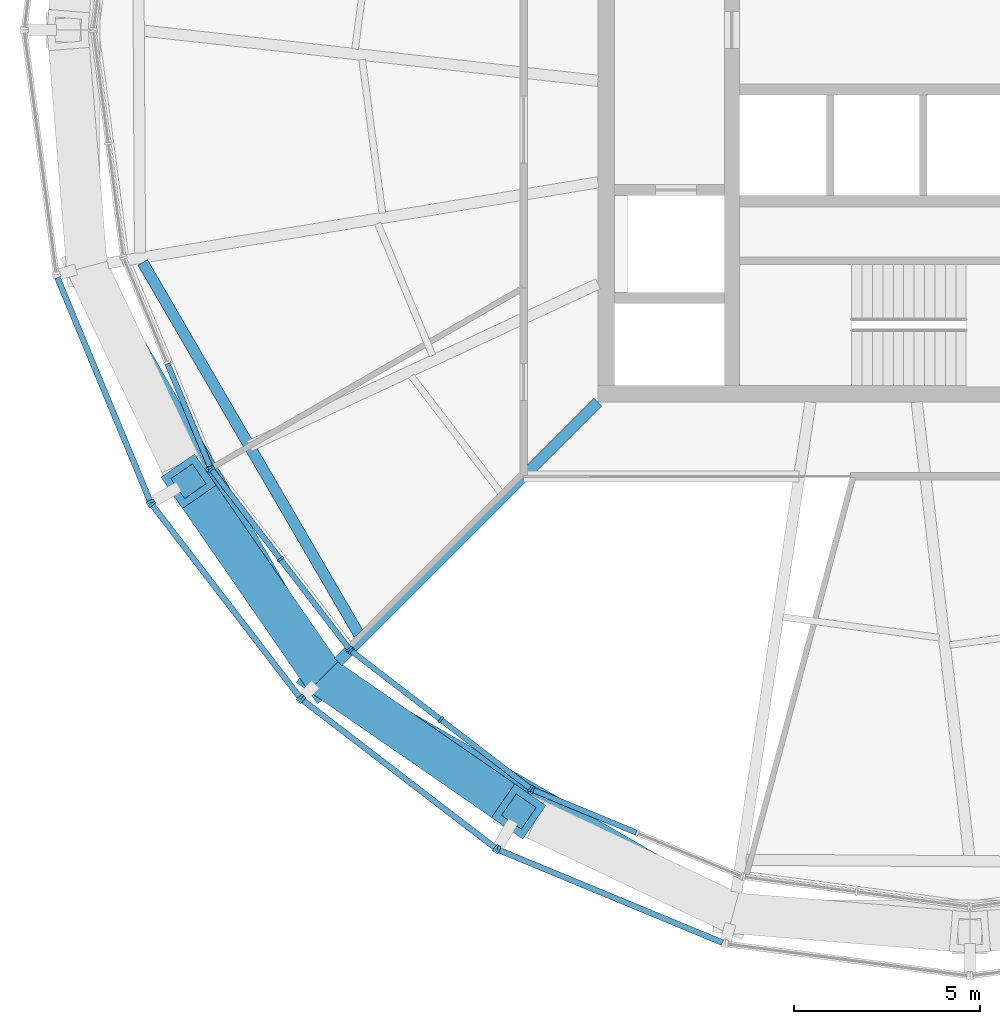
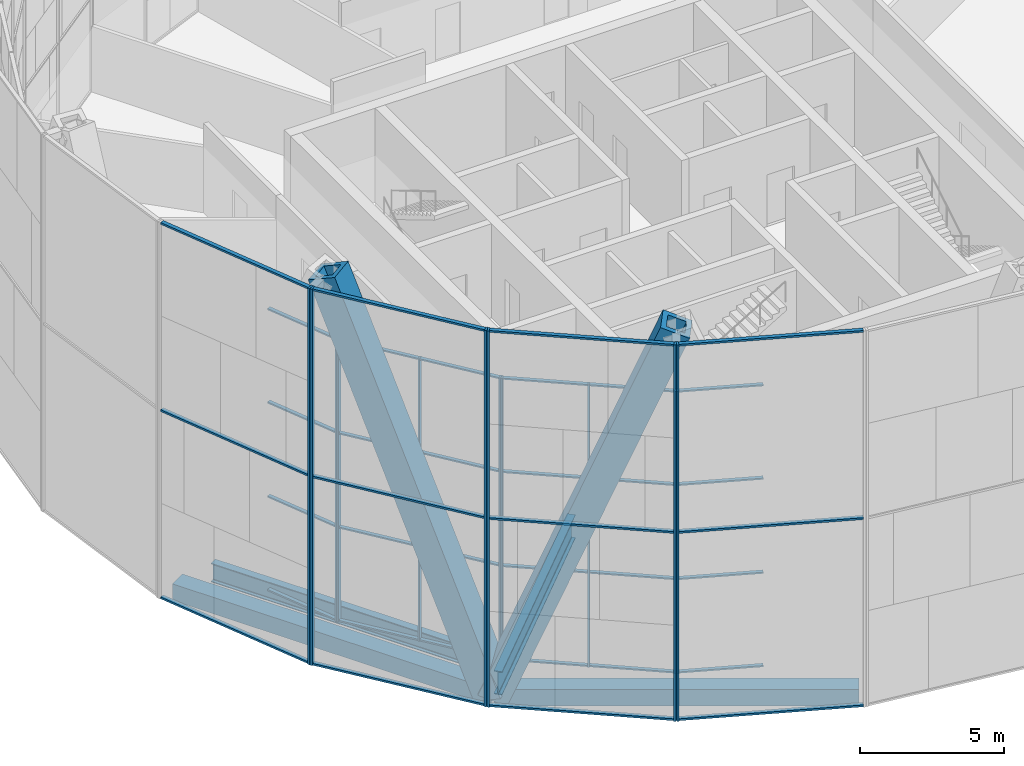
# One storey, part 1 of 26: 52 members, 4 beams, 8 elements without a shape of their own.
"""IFC4 building model written with IfcOpenShell, lengths in metres."""

import ifcopenshell
import ifcopenshell.guid

model = None  # the IFC model being written
_history = None  # IfcOwnerHistory: only IFC2X3 demands one
_inside = {}  # id of a spatial element -> (the spatial element, [elements in it])
_under = {}  # id of a project, library or spatial element -> (it, [spatial elements below it])
_declared = {}  # id of a project -> (the project, [libraries it declares])
_typed = {}  # id of a type object -> (the type object, [elements of that type])
_made_of = {}  # id of a material, layer set ... -> (it, [elements and type objects made of it])


def new_model(schema):
    """Start an empty IFC model of exactly this schema.

    Asked for "IFC4X3", IfcOpenShell would pick the latest addendum, in which some entities
    have other attributes; the version numbers below select the first issue.
    IFC2X3 requires an IfcOwnerHistory on every rooted entity: one is made here for all.
    """
    global model, _history
    if schema == "IFC4X3":
        model = ifcopenshell.file(schema_version=(4, 3, 0, 0))
    else:
        model = ifcopenshell.file(schema=schema)
    _inside.clear()
    _under.clear()
    _declared.clear()
    _typed.clear()
    _made_of.clear()
    _history = None
    if model.schema == "IFC2X3":
        org = make("IfcOrganization", Name="unknown")
        user = make(
            "IfcPersonAndOrganization",
            ThePerson=make("IfcPerson", FamilyName="unknown"),
            TheOrganization=org,
        )
        app = make(
            "IfcApplication",
            ApplicationDeveloper=org,
            Version="unknown",
            ApplicationFullName="unknown",
            ApplicationIdentifier="unknown",
        )
        _history = make(
            "IfcOwnerHistory",
            OwningUser=user,
            OwningApplication=app,
            ChangeAction="ADDED",
            CreationDate=0,
        )
    return model


def make(cls, **values):
    """One entity of the class cls with the attributes given. An attribute that is None is left unset."""
    return model.create_entity(
        cls, **{name: value for name, value in values.items() if value is not None}
    )


def rooted(cls, **values):
    """An entity with a GlobalId (a new one), such as an element, a storey or a relation."""
    return make(cls, GlobalId=ifcopenshell.guid.new(), OwnerHistory=_history, **values)


def si_unit(unit_type, name, prefix=None):
    """IfcSIUnit, for example si_unit("LENGTHUNIT", "METRE", prefix="MILLI")."""
    return make("IfcSIUnit", UnitType=unit_type, Prefix=prefix, Name=name)


def assignment(units):
    """IfcUnitAssignment: the units of a project."""
    return None if units is None else make("IfcUnitAssignment", Units=units)


def point(xyz):
    """IfcCartesianPoint."""
    return None if xyz is None else make("IfcCartesianPoint", Coordinates=xyz)


def direction(xyz):
    """IfcDirection."""
    return None if xyz is None else make("IfcDirection", DirectionRatios=xyz)


def frame(location, z_axis=None, x_axis=None):
    """IfcAxis2Placement3D, a coordinate frame: its origin and axes. An axis left out is left unset."""
    return make(
        "IfcAxis2Placement3D",
        Location=point(location),
        Axis=direction(z_axis),
        RefDirection=direction(x_axis),
    )


def frame_2d(location, x_axis=None):
    """IfcAxis2Placement2D, a coordinate frame in the plane: its origin and x axis."""
    return make(
        "IfcAxis2Placement2D", Location=point(location), RefDirection=direction(x_axis)
    )


def origin():
    """The frame at (0, 0, 0) with its axes left unset."""
    return frame((0.0, 0.0, 0.0))


def origin_2d():
    """The frame at (0, 0) in the plane with its x axis left unset."""
    return frame_2d((0.0, 0.0))


def place(relative_to, where):
    """IfcLocalPlacement: puts the frame where relative to a parent placement (None: the world)."""
    return make(
        "IfcLocalPlacement", PlacementRelTo=relative_to, RelativePlacement=where
    )


def context(
    kind, dimensions, precision=None, world=None, true_north=None, identifier=None
):
    """IfcGeometricRepresentationContext, for example the 3D "Model" context."""
    return make(
        "IfcGeometricRepresentationContext",
        ContextIdentifier=identifier,
        ContextType=kind,
        CoordinateSpaceDimension=dimensions,
        Precision=precision,
        WorldCoordinateSystem=world,
        TrueNorth=true_north,
    )


def subcontext(parent, identifier, kind, view, scale=None):
    """IfcGeometricRepresentationSubContext, for example "Body" below "Model"."""
    return make(
        "IfcGeometricRepresentationSubContext",
        ContextIdentifier=identifier,
        ContextType=kind,
        ParentContext=parent,
        TargetScale=scale,
        TargetView=view,
    )


def project(units=None, contexts=None):
    """IfcProject with its units and contexts."""
    return rooted(
        "IfcProject",
        Name="project",
        RepresentationContexts=contexts,
        UnitsInContext=assignment(units),
    )


def spatial(cls, under=None, at=None, **own):
    """A site, building, storey or space (cls), placed at a placement, below another one or the project."""
    s = rooted(cls, ObjectPlacement=at, **own)
    if under is not None:
        _under.setdefault(under.id(), (under, []))[1].append(s)
    return s


def profile(cls, at=None, kind="AREA", **sizes):
    """A parametric profile (cls). Its sizes go by their IFC names, for example OverallWidth=200.0."""
    return make(cls, ProfileType=kind, Position=at, **sizes)


def rectangle(**sizes):
    """IfcRectangleProfileDef."""
    return profile("IfcRectangleProfileDef", **sizes)


def hollow_rectangle(**sizes):
    """IfcRectangleHollowProfileDef."""
    return profile("IfcRectangleHollowProfileDef", **sizes)


def i_section(**sizes):
    """IfcIShapeProfileDef."""
    return profile("IfcIShapeProfileDef", **sizes)


def extrude(swept, where, along, depth):
    """IfcExtrudedAreaSolid: the profile swept, set in the frame where, extruded along a direction by depth."""
    return make(
        "IfcExtrudedAreaSolid",
        SweptArea=swept,
        Position=where,
        ExtrudedDirection=direction(along),
        Depth=depth,
    )


def shape(context_of_items, identifier, shape_type, items):
    """IfcShapeRepresentation: the items that make up one representation, for example the "Body"."""
    return make(
        "IfcShapeRepresentation",
        ContextOfItems=context_of_items,
        RepresentationIdentifier=identifier,
        RepresentationType=shape_type,
        Items=items,
    )


def material(Name=None, Category=None):
    """IfcMaterial."""
    return make("IfcMaterial", Name=Name, Category=Category)


def material_profile(
    of_material, cross_section, Name=None, Category=None, Priority=None
):
    """IfcMaterialProfile: a cross section and its material."""
    return make(
        "IfcMaterialProfile",
        Name=Name,
        Material=of_material,
        Profile=cross_section,
        Priority=Priority,
        Category=Category,
    )


def profile_set(profiles, Name=None, composite=None):
    """IfcMaterialProfileSet."""
    return make(
        "IfcMaterialProfileSet",
        Name=Name,
        MaterialProfiles=profiles,
        CompositeProfile=composite,
    )


def made_of(thing, what):
    """Note that an element or type object is made of a material, layer set ...; save() writes the relation."""
    if what is not None:
        _made_of.setdefault(what.id(), (what, []))[1].append(thing)
    return thing


def type_object(cls, material=None, **own):
    """A type object (cls), such as IfcWallType, which elements share."""
    return made_of(rooted(cls, **own), material)


def element(
    cls,
    number,
    at=None,
    inside=None,
    cuts=None,
    type_object=None,
    material=None,
    context=None,
    identifier="Body",
    shape_type=None,
    held_by="IfcProductDefinitionShape",
    body=None,
    shapes=None,
    **own,
):
    """One element of the class cls, such as IfcWall. Its Tag is "e" and its number.

    at: its placement. inside: the storey or other place that contains it. cuts: it is an
    opening in that element (IfcRelVoidsElement). A single representation is given by context,
    identifier, shape_type and body (its items); several are given by shapes. held_by: the class
    of the entity that holds the representations. save() writes the other relations.
    """
    e = rooted(cls, Tag="e%d" % number, ObjectPlacement=at, **own)
    if body is not None:
        shapes = [shape(context, identifier, shape_type, body)]
    if shapes is not None:
        e.Representation = make(held_by, Representations=shapes)
    if inside is not None:
        _inside.setdefault(inside.id(), (inside, []))[1].append(e)
    if cuts is not None:
        rooted(
            "IfcRelVoidsElement", RelatingBuildingElement=cuts, RelatedOpeningElement=e
        )
    if type_object is not None:
        _typed.setdefault(type_object.id(), (type_object, []))[1].append(e)
    return made_of(e, material)


def aggregate(whole, parts):
    """IfcRelAggregates: a whole, such as a stair, and the parts it consists of."""
    return rooted("IfcRelAggregates", RelatingObject=whole, RelatedObjects=parts)


def save(model, path):
    """Write the relations noted so far, then the file.

    IfcRelAggregates (storeys below a building ...), IfcRelContainedInSpatialStructure (elements
    in a storey), IfcRelDefinesByType, IfcRelAssociatesMaterial and IfcRelDeclares: one each for
    every whole, place, type object, material and project.
    """
    for whole, parts in _under.values():
        aggregate(whole, parts)
    for where, things in _inside.values():
        rooted(
            "IfcRelContainedInSpatialStructure",
            RelatedElements=things,
            RelatingStructure=where,
        )
    for kind, things in _typed.values():
        rooted("IfcRelDefinesByType", RelatedObjects=things, RelatingType=kind)
    for what, things in _made_of.values():
        rooted("IfcRelAssociatesMaterial", RelatedObjects=things, RelatingMaterial=what)
    for by, libraries in _declared.values():
        rooted("IfcRelDeclares", RelatingContext=by, RelatedDefinitions=libraries)
    model.write(path)


model = new_model("IFC4")

# Units and contexts
model_context = context("Model", 3, precision=1e-05, world=origin(), true_north=direction((0.0, 1.0)))
body_context = subcontext(model_context, "Body", "Model", "MODEL_VIEW")
ifc_project = project(units=[si_unit("LENGTHUNIT", "METRE"), si_unit("AREAUNIT", "SQUARE_METRE"), si_unit("VOLUMEUNIT", "CUBIC_METRE"), si_unit("PLANEANGLEUNIT", "RADIAN"), si_unit("MASSUNIT", "GRAM", prefix="KILO")], contexts=[model_context])

# Site, building, storey
site_placement = place(None, origin())
site = spatial("IfcSite", under=ifc_project, at=site_placement, CompositionType="ELEMENT")
building_placement = place(site_placement, origin())
building = spatial("IfcBuilding", under=site, at=building_placement, Name="Golbaran Civic Tower", CompositionType="ELEMENT")
storey_placement = place(building_placement, frame((0.0, 0.0, 199.0)))
storey = spatial("IfcBuildingStorey", under=building, at=storey_placement, Name="L48", CompositionType="ELEMENT", Elevation=199.0)

# Members
ifc_material_1 = material(Name="Steel S355", Category="steel")
ifc_material_profile_1 = material_profile(ifc_material_1, hollow_rectangle(XDim=1.10009765625, YDim=1.10009765625, WallThickness=0.199951171875, at=origin_2d()), Name="BOX 1100x1100x200")
ifc_profile_set_1 = profile_set([ifc_material_profile_1], Name="Steel S355")
member_type_1 = type_object("IfcMemberType", Name="DIAGRID DIAGONAL BOX 1100x1100x200", PredefinedType="BRACE", material=ifc_profile_set_1)
for number, where, z_axis, x_axis, name in (
    (1, (-17.379150390625, -17.379150390625, -0.7099609375), (0.30484436274, -0.210566399983, 0.928833518831), (0.568334412901, 0.822797663531, 0.0), "Diagonal D11-07R L48-L52"),
    (2, (-17.379150390625, -17.379150390625, -0.7099609375), (-0.210566399983, 0.30484436274, 0.928833518831), (-0.822797663531, -0.568334412901, 0.0), "Diagonal D11-07L L48-L52"),
):
    element("IfcMember", number, at=place(storey_placement, frame(where, z_axis=z_axis, x_axis=x_axis)), inside=storey, type_object=member_type_1, Name=name, PredefinedType="BRACE", context=body_context, shape_type="SweptSolid", body=[
        extrude(hollow_rectangle(XDim=1.10009765625, YDim=1.10009765625, WallThickness=0.199951171875, at=origin_2d()), origin(), (0.0, 0.0, 1.0), 17.225830078125),
    ])

# Beams
ifc_material_profile_2 = material_profile(ifc_material_1, hollow_rectangle(XDim=0.699951171875, YDim=0.699951171875, WallThickness=0.080078125, at=origin_2d()), Name="BOX 700x700x80")
ifc_profile_set_2 = profile_set([ifc_material_profile_2], Name="Steel S355")
beam_type_1 = type_object("IfcBeamType", Name="DIAGRID RING TIE BOX 700x700x80", PredefinedType="BEAM", material=ifc_profile_set_2)
for number, where, z_axis, x_axis, name in (
    (3, (-23.740478515625, -6.361328125, -0.7099609375), (0.500010933886, -0.86601909101, 0.0), (0.86601909101, 0.500010933886, 0.0), "Ring tie 195.00 L48"),
    (4, (-17.379150390625, -17.379150390625, -0.7099609375), (0.86601909101, -0.500010933886, 0.0), (0.500010933886, 0.86601909101, 0.0), "Ring tie 225.00 L48"),
):
    element("IfcBeam", number, at=place(storey_placement, frame(where, z_axis=z_axis, x_axis=x_axis)), inside=storey, type_object=beam_type_1, Name=name, PredefinedType="BEAM", context=body_context, shape_type="SweptSolid", body=[
        extrude(hollow_rectangle(XDim=0.699951171875, YDim=0.699951171875, WallThickness=0.080078125, at=origin_2d()), origin(), (0.0, 0.0, 1.0), 12.722412109375),
    ])
ifc_material_profile_3 = material_profile(ifc_material_1, i_section(OverallWidth=0.300048828125, OverallDepth=0.800048828125, WebThickness=0.017578125, FlangeThickness=0.032958984375, FilletRadius=0.030029296875, at=origin_2d()), Name="HEB 800")
ifc_profile_set_3 = profile_set([ifc_material_profile_3], Name="Steel S355")
beam_type_2 = type_object("IfcBeamType", Name="EDGE BEAM HEB 800", PredefinedType="BEAM", material=ifc_profile_set_3)
beam_1_placement = place(storey_placement, frame((-22.239990234375, -6.245361328125, -0.60009765625), z_axis=(0.502665587735, -0.864480946526, 0.0), x_axis=(0.864480946526, 0.502665587735, 0.0)))
element("IfcBeam", 5, at=beam_1_placement, inside=storey, type_object=beam_type_2, Name="Edge beam 195.00 L48", PredefinedType="BEAM", context=body_context, shape_type="SweptSolid", body=[
    extrude(i_section(OverallWidth=0.300048828125, OverallDepth=0.800048828125, WebThickness=0.017578125, FlangeThickness=0.032958984375, FilletRadius=0.030029296875, at=origin_2d()), origin(), (0.0, 0.0, 1.0), 11.564697265625),
])

# Curtain wall, member
ifc_material_2 = material(Name="Aluminium and glass", Category="aluminium")
curtain_wall_type_1 = type_object("IfcCurtainWallType", Name="INNER SKIN CURTAIN WALL EXECUTIVE", PredefinedType="NOTDEFINED", material=ifc_material_2)
curtain_wall_1_placement = place(storey_placement, origin())
curtain_wall_1 = element("IfcCurtainWall", 6, at=curtain_wall_1_placement, inside=storey, type_object=curtain_wall_type_1, Name="Inner skin L48 facet 14 CW2", ObjectType="INNER SKIN", PredefinedType="USERDEFINED")
ifc_material_3 = material(Name="Aluminium", Category="aluminium")
ifc_material_profile_4 = material_profile(ifc_material_3, rectangle(XDim=0.199951171875, YDim=0.06005859375, at=origin_2d()), Name="INNER SKIN CURTAIN WALL EXECUTIVE MULLION")
ifc_profile_set_4 = profile_set([ifc_material_profile_4], Name="Aluminium")
member_type_2 = type_object("IfcMemberType", Name="INNER SKIN CURTAIN WALL EXECUTIVE MULLION", PredefinedType="MULLION", material=ifc_profile_set_4)
member_1_placement = place(storey_placement, frame((-20.421142578125, -11.755859375, 0.0), z_axis=(0.0, 0.0, 1.0), x_axis=(0.923879532518, 0.382683432349, 0.0)))
member_1 = element("IfcMember", 7, at=member_1_placement, type_object=member_type_2, Name="CW2 mullion 3", PredefinedType="MULLION", context=body_context, shape_type="SweptSolid", body=[
    extrude(rectangle(XDim=0.199951171875, YDim=0.06005859375, at=origin_2d()), origin(), (0.0, 0.0, 1.0), 12.0),
])

# Curtain wall, members
curtain_wall_2_placement = place(storey_placement, origin())
curtain_wall_2 = element("IfcCurtainWall", 8, at=curtain_wall_2_placement, inside=storey, type_object=curtain_wall_type_1, Name="Inner skin L48 facet 15 CW2", ObjectType="INNER SKIN", PredefinedType="USERDEFINED")
member_2_placement = place(storey_placement, frame((-20.391357421875, -11.807373046875, 0.0), z_axis=(0.0, 0.0, 1.0), x_axis=(0.793353340259, 0.60876142905, 0.0)))
member_2 = element("IfcMember", 9, at=member_2_placement, type_object=member_type_2, Name="CW2 mullion 1", PredefinedType="MULLION", context=body_context, shape_type="SweptSolid", body=[
    extrude(rectangle(XDim=0.199951171875, YDim=0.06005859375, at=origin_2d()), origin(), (0.0, 0.0, 1.0), 12.0),
])
member_3_placement = place(storey_placement, frame((-18.537109375, -14.223876953125, 0.0), z_axis=(0.0, 0.0, 1.0), x_axis=(0.793353340259, 0.60876142905, 0.0)))
member_3 = element("IfcMember", 10, at=member_3_placement, type_object=member_type_2, Name="CW2 mullion 2", PredefinedType="MULLION", context=body_context, shape_type="SweptSolid", body=[
    extrude(rectangle(XDim=0.199951171875, YDim=0.06005859375, at=origin_2d()), origin(), (0.0, 0.0, 1.0), 12.0),
])
member_4_placement = place(storey_placement, frame((-16.6826171875, -16.640625, 0.0), z_axis=(0.0, 0.0, 1.0), x_axis=(0.793353340259, 0.60876142905, 0.0)))
member_4 = element("IfcMember", 11, at=member_4_placement, type_object=member_type_2, Name="CW2 mullion 3", PredefinedType="MULLION", context=body_context, shape_type="SweptSolid", body=[
    extrude(rectangle(XDim=0.199951171875, YDim=0.06005859375, at=origin_2d()), origin(), (0.0, 0.0, 1.0), 12.0),
])

curtain_wall_3_placement = place(storey_placement, origin())
curtain_wall_3 = element("IfcCurtainWall", 12, at=curtain_wall_3_placement, inside=storey, type_object=curtain_wall_type_1, Name="Inner skin L48 facet 16 CW2", ObjectType="INNER SKIN", PredefinedType="USERDEFINED")
member_5_placement = place(storey_placement, frame((-16.640625, -16.6826171875, 0.0), z_axis=(0.0, 0.0, 1.0), x_axis=(0.60876142905, 0.793353340259, 0.0)))
member_5 = element("IfcMember", 13, at=member_5_placement, type_object=member_type_2, Name="CW2 mullion 1", PredefinedType="MULLION", context=body_context, shape_type="SweptSolid", body=[
    extrude(rectangle(XDim=0.199951171875, YDim=0.06005859375, at=origin_2d()), origin(), (0.0, 0.0, 1.0), 12.0),
])
member_6_placement = place(storey_placement, frame((-14.223876953125, -18.537109375, 0.0), z_axis=(0.0, 0.0, 1.0), x_axis=(0.60876142905, 0.793353340259, 0.0)))
member_6 = element("IfcMember", 14, at=member_6_placement, type_object=member_type_2, Name="CW2 mullion 2", PredefinedType="MULLION", context=body_context, shape_type="SweptSolid", body=[
    extrude(rectangle(XDim=0.199951171875, YDim=0.06005859375, at=origin_2d()), origin(), (0.0, 0.0, 1.0), 12.0),
])
member_7_placement = place(storey_placement, frame((-11.807373046875, -20.391357421875, 0.0), z_axis=(0.0, 0.0, 1.0), x_axis=(0.60876142905, 0.793353340259, 0.0)))
member_7 = element("IfcMember", 15, at=member_7_placement, type_object=member_type_2, Name="CW2 mullion 3", PredefinedType="MULLION", context=body_context, shape_type="SweptSolid", body=[
    extrude(rectangle(XDim=0.199951171875, YDim=0.06005859375, at=origin_2d()), origin(), (0.0, 0.0, 1.0), 12.0),
])

# Curtain wall, member
curtain_wall_4_placement = place(storey_placement, origin())
curtain_wall_4 = element("IfcCurtainWall", 16, at=curtain_wall_4_placement, inside=storey, type_object=curtain_wall_type_1, Name="Inner skin L48 facet 17 CW2", ObjectType="INNER SKIN", PredefinedType="USERDEFINED")
member_8_placement = place(storey_placement, frame((-11.755859375, -20.421142578125, 0.0), z_axis=(0.0, 0.0, 1.0), x_axis=(0.382683432349, 0.923879532518, 0.0)))
member_8 = element("IfcMember", 17, at=member_8_placement, type_object=member_type_2, Name="CW2 mullion 1", PredefinedType="MULLION", context=body_context, shape_type="SweptSolid", body=[
    extrude(rectangle(XDim=0.199951171875, YDim=0.06005859375, at=origin_2d()), origin(), (0.0, 0.0, 1.0), 12.0),
])

# Member
ifc_material_profile_5 = material_profile(ifc_material_3, rectangle(XDim=0.14990234375, YDim=0.06005859375, at=origin_2d()), Name="INNER SKIN CURTAIN WALL EXECUTIVE TRANSOM")
ifc_profile_set_5 = profile_set([ifc_material_profile_5], Name="Aluminium")
member_type_3 = type_object("IfcMemberType", Name="INNER SKIN CURTAIN WALL EXECUTIVE TRANSOM", PredefinedType="USERDEFINED", material=ifc_profile_set_5)
member_9_placement = place(storey_placement, frame((-21.5751953125, -8.96923828125, 0.030029296875), z_axis=(0.382640634603, -0.923897258763, 0.0), x_axis=(0.923897258763, 0.382640634603, 0.0)))
member_9 = element("IfcMember", 18, at=member_9_placement, type_object=member_type_3, Name="CW2 transom 2.1", ObjectType="TRANSOM", PredefinedType="USERDEFINED", context=body_context, shape_type="SweptSolid", body=[
    extrude(rectangle(XDim=0.14990234375, YDim=0.06005859375, at=origin_2d()), origin(), (0.0, 0.0, 1.0), 2.986083984375),
])

member_10_placement = place(storey_placement, frame((-21.5751953125, -8.96923828125, 4.0), z_axis=(0.382640634603, -0.923897258763, 0.0), x_axis=(0.923897258763, 0.382640634603, 0.0)))
member_10 = element("IfcMember", 19, at=member_10_placement, type_object=member_type_3, Name="CW2 transom 2.2", ObjectType="TRANSOM", PredefinedType="USERDEFINED", context=body_context, shape_type="SweptSolid", body=[
    extrude(rectangle(XDim=0.14990234375, YDim=0.06005859375, at=origin_2d()), origin(), (0.0, 0.0, 1.0), 2.986083984375),
])

member_11_placement = place(storey_placement, frame((-21.5751953125, -8.96923828125, 8.0), z_axis=(0.382640634603, -0.923897258763, 0.0), x_axis=(0.923897258763, 0.382640634603, 0.0)))
member_11 = element("IfcMember", 20, at=member_11_placement, type_object=member_type_3, Name="CW2 transom 2.3", ObjectType="TRANSOM", PredefinedType="USERDEFINED", context=body_context, shape_type="SweptSolid", body=[
    extrude(rectangle(XDim=0.14990234375, YDim=0.06005859375, at=origin_2d()), origin(), (0.0, 0.0, 1.0), 2.986083984375),
])

member_12_placement = place(storey_placement, frame((-21.5751953125, -8.96923828125, 11.969970703125), z_axis=(0.382640634603, -0.923897258763, 0.0), x_axis=(0.923897258763, 0.382640634603, 0.0)))
member_12 = element("IfcMember", 21, at=member_12_placement, type_object=member_type_3, Name="CW2 transom 2.4", ObjectType="TRANSOM", PredefinedType="USERDEFINED", context=body_context, shape_type="SweptSolid", body=[
    extrude(rectangle(XDim=0.14990234375, YDim=0.06005859375, at=origin_2d()), origin(), (0.0, 0.0, 1.0), 2.986083984375),
])

aggregate(curtain_wall_1, [member_1, member_9, member_10, member_11, member_12])

member_13_placement = place(storey_placement, frame((-20.373046875, -11.8310546875, 0.030029296875), z_axis=(0.608754168716, -0.793358911257, 0.0), x_axis=(0.793358911257, 0.608754168716, 0.0)))
member_13 = element("IfcMember", 22, at=member_13_placement, type_object=member_type_3, Name="CW2 transom 1.1", ObjectType="TRANSOM", PredefinedType="USERDEFINED", context=body_context, shape_type="SweptSolid", body=[
    extrude(rectangle(XDim=0.14990234375, YDim=0.06005859375, at=origin_2d()), origin(), (0.0, 0.0, 1.0), 2.986328125),
])

member_14_placement = place(storey_placement, frame((-20.373046875, -11.8310546875, 4.0), z_axis=(0.608754168716, -0.793358911257, 0.0), x_axis=(0.793358911257, 0.608754168716, 0.0)))
member_14 = element("IfcMember", 23, at=member_14_placement, type_object=member_type_3, Name="CW2 transom 1.2", ObjectType="TRANSOM", PredefinedType="USERDEFINED", context=body_context, shape_type="SweptSolid", body=[
    extrude(rectangle(XDim=0.14990234375, YDim=0.06005859375, at=origin_2d()), origin(), (0.0, 0.0, 1.0), 2.986328125),
])

member_15_placement = place(storey_placement, frame((-20.373046875, -11.8310546875, 8.0), z_axis=(0.608754168716, -0.793358911257, 0.0), x_axis=(0.793358911257, 0.608754168716, 0.0)))
member_15 = element("IfcMember", 24, at=member_15_placement, type_object=member_type_3, Name="CW2 transom 1.3", ObjectType="TRANSOM", PredefinedType="USERDEFINED", context=body_context, shape_type="SweptSolid", body=[
    extrude(rectangle(XDim=0.14990234375, YDim=0.06005859375, at=origin_2d()), origin(), (0.0, 0.0, 1.0), 2.986328125),
])

member_16_placement = place(storey_placement, frame((-20.373046875, -11.8310546875, 11.969970703125), z_axis=(0.608754168716, -0.793358911257, 0.0), x_axis=(0.793358911257, 0.608754168716, 0.0)))
member_16 = element("IfcMember", 25, at=member_16_placement, type_object=member_type_3, Name="CW2 transom 1.4", ObjectType="TRANSOM", PredefinedType="USERDEFINED", context=body_context, shape_type="SweptSolid", body=[
    extrude(rectangle(XDim=0.14990234375, YDim=0.06005859375, at=origin_2d()), origin(), (0.0, 0.0, 1.0), 2.986328125),
])

member_17_placement = place(storey_placement, frame((-18.518798828125, -14.247802734375, 0.030029296875), z_axis=(0.60879365538, -0.793328611087, 0.0), x_axis=(0.793328611087, 0.60879365538, 0.0)))
member_17 = element("IfcMember", 26, at=member_17_placement, type_object=member_type_3, Name="CW2 transom 2.1", ObjectType="TRANSOM", PredefinedType="USERDEFINED", context=body_context, shape_type="SweptSolid", body=[
    extrude(rectangle(XDim=0.14990234375, YDim=0.06005859375, at=origin_2d()), origin(), (0.0, 0.0, 1.0), 2.986083984375),
])

member_18_placement = place(storey_placement, frame((-18.518798828125, -14.247802734375, 4.0), z_axis=(0.60879365538, -0.793328611087, 0.0), x_axis=(0.793328611087, 0.60879365538, 0.0)))
member_18 = element("IfcMember", 27, at=member_18_placement, type_object=member_type_3, Name="CW2 transom 2.2", ObjectType="TRANSOM", PredefinedType="USERDEFINED", context=body_context, shape_type="SweptSolid", body=[
    extrude(rectangle(XDim=0.14990234375, YDim=0.06005859375, at=origin_2d()), origin(), (0.0, 0.0, 1.0), 2.986083984375),
])

member_19_placement = place(storey_placement, frame((-18.518798828125, -14.247802734375, 8.0), z_axis=(0.60879365538, -0.793328611087, 0.0), x_axis=(0.793328611087, 0.60879365538, 0.0)))
member_19 = element("IfcMember", 28, at=member_19_placement, type_object=member_type_3, Name="CW2 transom 2.3", ObjectType="TRANSOM", PredefinedType="USERDEFINED", context=body_context, shape_type="SweptSolid", body=[
    extrude(rectangle(XDim=0.14990234375, YDim=0.06005859375, at=origin_2d()), origin(), (0.0, 0.0, 1.0), 2.986083984375),
])

member_20_placement = place(storey_placement, frame((-18.518798828125, -14.247802734375, 11.969970703125), z_axis=(0.60879365538, -0.793328611087, 0.0), x_axis=(0.793328611087, 0.60879365538, 0.0)))
member_20 = element("IfcMember", 29, at=member_20_placement, type_object=member_type_3, Name="CW2 transom 2.4", ObjectType="TRANSOM", PredefinedType="USERDEFINED", context=body_context, shape_type="SweptSolid", body=[
    extrude(rectangle(XDim=0.14990234375, YDim=0.06005859375, at=origin_2d()), origin(), (0.0, 0.0, 1.0), 2.986083984375),
])

aggregate(curtain_wall_2, [member_2, member_3, member_4, member_13, member_14, member_15, member_16, member_17, member_18, member_19, member_20])

member_21_placement = place(storey_placement, frame((-16.61669921875, -16.700927734375, 0.030029296875), z_axis=(0.793328611087, -0.60879365538, 0.0), x_axis=(0.60879365538, 0.793328611087, 0.0)))
member_21 = element("IfcMember", 30, at=member_21_placement, type_object=member_type_3, Name="CW2 transom 1.1", ObjectType="TRANSOM", PredefinedType="USERDEFINED", context=body_context, shape_type="SweptSolid", body=[
    extrude(rectangle(XDim=0.14990234375, YDim=0.06005859375, at=origin_2d()), origin(), (0.0, 0.0, 1.0), 2.986083984375),
])

member_22_placement = place(storey_placement, frame((-16.61669921875, -16.700927734375, 4.0), z_axis=(0.793328611087, -0.60879365538, 0.0), x_axis=(0.60879365538, 0.793328611087, 0.0)))
member_22 = element("IfcMember", 31, at=member_22_placement, type_object=member_type_3, Name="CW2 transom 1.2", ObjectType="TRANSOM", PredefinedType="USERDEFINED", context=body_context, shape_type="SweptSolid", body=[
    extrude(rectangle(XDim=0.14990234375, YDim=0.06005859375, at=origin_2d()), origin(), (0.0, 0.0, 1.0), 2.986083984375),
])

member_23_placement = place(storey_placement, frame((-16.61669921875, -16.700927734375, 8.0), z_axis=(0.793328611087, -0.60879365538, 0.0), x_axis=(0.60879365538, 0.793328611087, 0.0)))
member_23 = element("IfcMember", 32, at=member_23_placement, type_object=member_type_3, Name="CW2 transom 1.3", ObjectType="TRANSOM", PredefinedType="USERDEFINED", context=body_context, shape_type="SweptSolid", body=[
    extrude(rectangle(XDim=0.14990234375, YDim=0.06005859375, at=origin_2d()), origin(), (0.0, 0.0, 1.0), 2.986083984375),
])

member_24_placement = place(storey_placement, frame((-16.61669921875, -16.700927734375, 11.969970703125), z_axis=(0.793328611087, -0.60879365538, 0.0), x_axis=(0.60879365538, 0.793328611087, 0.0)))
member_24 = element("IfcMember", 33, at=member_24_placement, type_object=member_type_3, Name="CW2 transom 1.4", ObjectType="TRANSOM", PredefinedType="USERDEFINED", context=body_context, shape_type="SweptSolid", body=[
    extrude(rectangle(XDim=0.14990234375, YDim=0.06005859375, at=origin_2d()), origin(), (0.0, 0.0, 1.0), 2.986083984375),
])

member_25_placement = place(storey_placement, frame((-14.2001953125, -18.55517578125, 0.030029296875), z_axis=(0.793358911257, -0.608754168716, 0.0), x_axis=(0.608754168716, 0.793358911257, 0.0)))
member_25 = element("IfcMember", 34, at=member_25_placement, type_object=member_type_3, Name="CW2 transom 2.1", ObjectType="TRANSOM", PredefinedType="USERDEFINED", context=body_context, shape_type="SweptSolid", body=[
    extrude(rectangle(XDim=0.14990234375, YDim=0.06005859375, at=origin_2d()), origin(), (0.0, 0.0, 1.0), 2.986328125),
])

member_26_placement = place(storey_placement, frame((-14.2001953125, -18.55517578125, 4.0), z_axis=(0.793358911257, -0.608754168716, 0.0), x_axis=(0.608754168716, 0.793358911257, 0.0)))
member_26 = element("IfcMember", 35, at=member_26_placement, type_object=member_type_3, Name="CW2 transom 2.2", ObjectType="TRANSOM", PredefinedType="USERDEFINED", context=body_context, shape_type="SweptSolid", body=[
    extrude(rectangle(XDim=0.14990234375, YDim=0.06005859375, at=origin_2d()), origin(), (0.0, 0.0, 1.0), 2.986328125),
])

member_27_placement = place(storey_placement, frame((-14.2001953125, -18.55517578125, 8.0), z_axis=(0.793358911257, -0.608754168716, 0.0), x_axis=(0.608754168716, 0.793358911257, 0.0)))
member_27 = element("IfcMember", 36, at=member_27_placement, type_object=member_type_3, Name="CW2 transom 2.3", ObjectType="TRANSOM", PredefinedType="USERDEFINED", context=body_context, shape_type="SweptSolid", body=[
    extrude(rectangle(XDim=0.14990234375, YDim=0.06005859375, at=origin_2d()), origin(), (0.0, 0.0, 1.0), 2.986328125),
])

member_28_placement = place(storey_placement, frame((-14.2001953125, -18.55517578125, 11.969970703125), z_axis=(0.793358911257, -0.608754168716, 0.0), x_axis=(0.608754168716, 0.793358911257, 0.0)))
member_28 = element("IfcMember", 37, at=member_28_placement, type_object=member_type_3, Name="CW2 transom 2.4", ObjectType="TRANSOM", PredefinedType="USERDEFINED", context=body_context, shape_type="SweptSolid", body=[
    extrude(rectangle(XDim=0.14990234375, YDim=0.06005859375, at=origin_2d()), origin(), (0.0, 0.0, 1.0), 2.986328125),
])

aggregate(curtain_wall_3, [member_5, member_6, member_7, member_21, member_22, member_23, member_24, member_25, member_26, member_27, member_28])

member_29_placement = place(storey_placement, frame((-11.72802734375, -20.4326171875, 0.030029296875), z_axis=(0.923897258763, -0.382640634603, 0.0), x_axis=(0.382640634603, 0.923897258763, 0.0)))
member_29 = element("IfcMember", 38, at=member_29_placement, type_object=member_type_3, Name="CW2 transom 1.1", ObjectType="TRANSOM", PredefinedType="USERDEFINED", context=body_context, shape_type="SweptSolid", body=[
    extrude(rectangle(XDim=0.14990234375, YDim=0.06005859375, at=origin_2d()), origin(), (0.0, 0.0, 1.0), 2.986083984375),
])

member_30_placement = place(storey_placement, frame((-11.72802734375, -20.4326171875, 4.0), z_axis=(0.923897258763, -0.382640634603, 0.0), x_axis=(0.382640634603, 0.923897258763, 0.0)))
member_30 = element("IfcMember", 39, at=member_30_placement, type_object=member_type_3, Name="CW2 transom 1.2", ObjectType="TRANSOM", PredefinedType="USERDEFINED", context=body_context, shape_type="SweptSolid", body=[
    extrude(rectangle(XDim=0.14990234375, YDim=0.06005859375, at=origin_2d()), origin(), (0.0, 0.0, 1.0), 2.986083984375),
])

member_31_placement = place(storey_placement, frame((-11.72802734375, -20.4326171875, 8.0), z_axis=(0.923897258763, -0.382640634603, 0.0), x_axis=(0.382640634603, 0.923897258763, 0.0)))
member_31 = element("IfcMember", 40, at=member_31_placement, type_object=member_type_3, Name="CW2 transom 1.3", ObjectType="TRANSOM", PredefinedType="USERDEFINED", context=body_context, shape_type="SweptSolid", body=[
    extrude(rectangle(XDim=0.14990234375, YDim=0.06005859375, at=origin_2d()), origin(), (0.0, 0.0, 1.0), 2.986083984375),
])

member_32_placement = place(storey_placement, frame((-11.72802734375, -20.4326171875, 11.969970703125), z_axis=(0.923897258763, -0.382640634603, 0.0), x_axis=(0.382640634603, 0.923897258763, 0.0)))
member_32 = element("IfcMember", 41, at=member_32_placement, type_object=member_type_3, Name="CW2 transom 1.4", ObjectType="TRANSOM", PredefinedType="USERDEFINED", context=body_context, shape_type="SweptSolid", body=[
    extrude(rectangle(XDim=0.14990234375, YDim=0.06005859375, at=origin_2d()), origin(), (0.0, 0.0, 1.0), 2.986083984375),
])

aggregate(curtain_wall_4, [member_8, member_29, member_30, member_31, member_32])

# Curtain wall, member
curtain_wall_type_2 = type_object("IfcCurtainWallType", Name="OUTER SKIN TERRACOTTA SCREEN", PredefinedType="NOTDEFINED", material=ifc_material_2)
curtain_wall_5_placement = place(storey_placement, origin())
curtain_wall_5 = element("IfcCurtainWall", 42, at=curtain_wall_5_placement, inside=storey, type_object=curtain_wall_type_2, Name="Outer skin L48 facet 14 CW3", ObjectType="OUTER SKIN", PredefinedType="USERDEFINED")
ifc_material_profile_6 = material_profile(ifc_material_3, rectangle(XDim=0.219970703125, YDim=0.080078125, at=origin_2d()), Name="OUTER SKIN TERRACOTTA SCREEN MULLION")
ifc_profile_set_6 = profile_set([ifc_material_profile_6], Name="Aluminium")
member_type_4 = type_object("IfcMemberType", Name="OUTER SKIN TERRACOTTA SCREEN MULLION", PredefinedType="MULLION", material=ifc_profile_set_6)
member_33_placement = place(storey_placement, frame((-22.03662109375, -12.677001953125, -0.7099609375), z_axis=(0.0, 0.0, 1.0), x_axis=(0.923879532478, 0.382683432446, 0.0)))
member_33 = element("IfcMember", 43, at=member_33_placement, type_object=member_type_4, Name="CW3 mullion 2", PredefinedType="MULLION", context=body_context, shape_type="SweptSolid", body=[
    extrude(rectangle(XDim=0.219970703125, YDim=0.080078125, at=origin_2d()), origin(), (0.0, 0.0, 1.0), 16.0),
])

# Curtain wall, members
curtain_wall_6_placement = place(storey_placement, origin())
curtain_wall_6 = element("IfcCurtainWall", 44, at=curtain_wall_6_placement, inside=storey, type_object=curtain_wall_type_2, Name="Outer skin L48 facet 15 CW3", ObjectType="OUTER SKIN", PredefinedType="USERDEFINED")
member_34_placement = place(storey_placement, frame((-21.996826171875, -12.745849609375, -0.7099609375), z_axis=(0.0, 0.0, 1.0), x_axis=(0.793353340323, 0.608761428967, 0.0)))
member_34 = element("IfcMember", 45, at=member_34_placement, type_object=member_type_4, Name="CW3 mullion 1", PredefinedType="MULLION", context=body_context, shape_type="SweptSolid", body=[
    extrude(rectangle(XDim=0.219970703125, YDim=0.080078125, at=origin_2d()), origin(), (0.0, 0.0, 1.0), 16.0),
])
member_35_placement = place(storey_placement, frame((-18.004638671875, -17.948486328125, -0.7099609375), z_axis=(0.0, 0.0, 1.0), x_axis=(0.793353340323, 0.608761428967, 0.0)))
member_35 = element("IfcMember", 46, at=member_35_placement, type_object=member_type_4, Name="CW3 mullion 2", PredefinedType="MULLION", context=body_context, shape_type="SweptSolid", body=[
    extrude(rectangle(XDim=0.219970703125, YDim=0.080078125, at=origin_2d()), origin(), (0.0, 0.0, 1.0), 16.0),
])

curtain_wall_7_placement = place(storey_placement, origin())
curtain_wall_7 = element("IfcCurtainWall", 47, at=curtain_wall_7_placement, inside=storey, type_object=curtain_wall_type_2, Name="Outer skin L48 facet 16 CW3", ObjectType="OUTER SKIN", PredefinedType="USERDEFINED")
member_36_placement = place(storey_placement, frame((-17.948486328125, -18.004638671875, -0.7099609375), z_axis=(0.0, 0.0, 1.0), x_axis=(0.608761428967, 0.793353340323, 0.0)))
member_36 = element("IfcMember", 48, at=member_36_placement, type_object=member_type_4, Name="CW3 mullion 1", PredefinedType="MULLION", context=body_context, shape_type="SweptSolid", body=[
    extrude(rectangle(XDim=0.219970703125, YDim=0.080078125, at=origin_2d()), origin(), (0.0, 0.0, 1.0), 16.0),
])
member_37_placement = place(storey_placement, frame((-12.745849609375, -21.996826171875, -0.7099609375), z_axis=(0.0, 0.0, 1.0), x_axis=(0.608761428967, 0.793353340323, 0.0)))
member_37 = element("IfcMember", 49, at=member_37_placement, type_object=member_type_4, Name="CW3 mullion 2", PredefinedType="MULLION", context=body_context, shape_type="SweptSolid", body=[
    extrude(rectangle(XDim=0.219970703125, YDim=0.080078125, at=origin_2d()), origin(), (0.0, 0.0, 1.0), 16.0),
])

# Curtain wall, member
curtain_wall_8_placement = place(storey_placement, origin())
curtain_wall_8 = element("IfcCurtainWall", 50, at=curtain_wall_8_placement, inside=storey, type_object=curtain_wall_type_2, Name="Outer skin L48 facet 17 CW3", ObjectType="OUTER SKIN", PredefinedType="USERDEFINED")
member_38_placement = place(storey_placement, frame((-12.677001953125, -22.03662109375, -0.7099609375), z_axis=(0.0, 0.0, 1.0), x_axis=(0.382683432446, 0.923879532478, 0.0)))
member_38 = element("IfcMember", 51, at=member_38_placement, type_object=member_type_4, Name="CW3 mullion 1", PredefinedType="MULLION", context=body_context, shape_type="SweptSolid", body=[
    extrude(rectangle(XDim=0.219970703125, YDim=0.080078125, at=origin_2d()), origin(), (0.0, 0.0, 1.0), 16.0),
])

# Member
ifc_material_profile_7 = material_profile(ifc_material_3, rectangle(XDim=0.159912109375, YDim=0.080078125, at=origin_2d()), Name="OUTER SKIN TERRACOTTA SCREEN TRANSOM")
ifc_profile_set_7 = profile_set([ifc_material_profile_7], Name="Aluminium")
member_type_5 = type_object("IfcMemberType", Name="OUTER SKIN TERRACOTTA SCREEN TRANSOM", PredefinedType="USERDEFINED", material=ifc_profile_set_7)
member_39_placement = place(storey_placement, frame((-24.531005859375, -6.6552734375, -0.669921875), z_axis=(0.382682426517, -0.923879949147, 0.0), x_axis=(0.923879949147, 0.382682426517, 0.0)))
member_39 = element("IfcMember", 52, at=member_39_placement, type_object=member_type_5, Name="CW3 transom 1.1", ObjectType="TRANSOM", PredefinedType="USERDEFINED", context=body_context, shape_type="SweptSolid", body=[
    extrude(rectangle(XDim=0.159912109375, YDim=0.080078125, at=origin_2d()), origin(), (0.0, 0.0, 1.0), 6.47802734375),
])

member_40_placement = place(storey_placement, frame((-24.531005859375, -6.6552734375, 7.2900390625), z_axis=(0.382682426517, -0.923879949147, 0.0), x_axis=(0.923879949147, 0.382682426517, 0.0)))
member_40 = element("IfcMember", 53, at=member_40_placement, type_object=member_type_5, Name="CW3 transom 1.2", ObjectType="TRANSOM", PredefinedType="USERDEFINED", context=body_context, shape_type="SweptSolid", body=[
    extrude(rectangle(XDim=0.159912109375, YDim=0.080078125, at=origin_2d()), origin(), (0.0, 0.0, 1.0), 6.47802734375),
])

member_41_placement = place(storey_placement, frame((-24.531005859375, -6.6552734375, 15.25), z_axis=(0.382682426517, -0.923879949147, 0.0), x_axis=(0.923879949147, 0.382682426517, 0.0)))
member_41 = element("IfcMember", 54, at=member_41_placement, type_object=member_type_5, Name="CW3 transom 1.3", ObjectType="TRANSOM", PredefinedType="USERDEFINED", context=body_context, shape_type="SweptSolid", body=[
    extrude(rectangle(XDim=0.159912109375, YDim=0.080078125, at=origin_2d()), origin(), (0.0, 0.0, 1.0), 6.47802734375),
])

aggregate(curtain_wall_5, [member_33, member_39, member_40, member_41])

member_42_placement = place(storey_placement, frame((-21.97265625, -12.777587890625, -0.669921875), z_axis=(0.608779620859, -0.793339380863, 0.0), x_axis=(0.793339380863, 0.608779620859, 0.0)))
member_42 = element("IfcMember", 55, at=member_42_placement, type_object=member_type_5, Name="CW3 transom 1.1", ObjectType="TRANSOM", PredefinedType="USERDEFINED", context=body_context, shape_type="SweptSolid", body=[
    extrude(rectangle(XDim=0.159912109375, YDim=0.080078125, at=origin_2d()), origin(), (0.0, 0.0, 1.0), 6.477783203125),
])

member_43_placement = place(storey_placement, frame((-21.97265625, -12.777587890625, 7.2900390625), z_axis=(0.608779620859, -0.793339380863, 0.0), x_axis=(0.793339380863, 0.608779620859, 0.0)))
member_43 = element("IfcMember", 56, at=member_43_placement, type_object=member_type_5, Name="CW3 transom 1.2", ObjectType="TRANSOM", PredefinedType="USERDEFINED", context=body_context, shape_type="SweptSolid", body=[
    extrude(rectangle(XDim=0.159912109375, YDim=0.080078125, at=origin_2d()), origin(), (0.0, 0.0, 1.0), 6.477783203125),
])

member_44_placement = place(storey_placement, frame((-21.97265625, -12.777587890625, 15.25), z_axis=(0.608779620859, -0.793339380863, 0.0), x_axis=(0.793339380863, 0.608779620859, 0.0)))
member_44 = element("IfcMember", 57, at=member_44_placement, type_object=member_type_5, Name="CW3 transom 1.3", ObjectType="TRANSOM", PredefinedType="USERDEFINED", context=body_context, shape_type="SweptSolid", body=[
    extrude(rectangle(XDim=0.159912109375, YDim=0.080078125, at=origin_2d()), origin(), (0.0, 0.0, 1.0), 6.477783203125),
])

aggregate(curtain_wall_6, [member_34, member_35, member_42, member_43, member_44])

member_45_placement = place(storey_placement, frame((-17.916748046875, -18.029052734375, -0.669921875), z_axis=(0.793339380863, -0.608779620859, 0.0), x_axis=(0.608779620859, 0.793339380863, 0.0)))
member_45 = element("IfcMember", 58, at=member_45_placement, type_object=member_type_5, Name="CW3 transom 1.1", ObjectType="TRANSOM", PredefinedType="USERDEFINED", context=body_context, shape_type="SweptSolid", body=[
    extrude(rectangle(XDim=0.159912109375, YDim=0.080078125, at=origin_2d()), origin(), (0.0, 0.0, 1.0), 6.477783203125),
])

member_46_placement = place(storey_placement, frame((-17.916748046875, -18.029052734375, 7.2900390625), z_axis=(0.793339380863, -0.608779620859, 0.0), x_axis=(0.608779620859, 0.793339380863, 0.0)))
member_46 = element("IfcMember", 59, at=member_46_placement, type_object=member_type_5, Name="CW3 transom 1.2", ObjectType="TRANSOM", PredefinedType="USERDEFINED", context=body_context, shape_type="SweptSolid", body=[
    extrude(rectangle(XDim=0.159912109375, YDim=0.080078125, at=origin_2d()), origin(), (0.0, 0.0, 1.0), 6.477783203125),
])

member_47_placement = place(storey_placement, frame((-17.916748046875, -18.029052734375, 15.25), z_axis=(0.793339380863, -0.608779620859, 0.0), x_axis=(0.608779620859, 0.793339380863, 0.0)))
member_47 = element("IfcMember", 60, at=member_47_placement, type_object=member_type_5, Name="CW3 transom 1.3", ObjectType="TRANSOM", PredefinedType="USERDEFINED", context=body_context, shape_type="SweptSolid", body=[
    extrude(rectangle(XDim=0.159912109375, YDim=0.080078125, at=origin_2d()), origin(), (0.0, 0.0, 1.0), 6.477783203125),
])

aggregate(curtain_wall_7, [member_36, member_37, member_45, member_46, member_47])

member_48_placement = place(storey_placement, frame((-12.64013671875, -22.052001953125, -0.669921875), z_axis=(0.923879949147, -0.382682426517, 0.0), x_axis=(0.382682426517, 0.923879949147, 0.0)))
member_48 = element("IfcMember", 61, at=member_48_placement, type_object=member_type_5, Name="CW3 transom 1.1", ObjectType="TRANSOM", PredefinedType="USERDEFINED", context=body_context, shape_type="SweptSolid", body=[
    extrude(rectangle(XDim=0.159912109375, YDim=0.080078125, at=origin_2d()), origin(), (0.0, 0.0, 1.0), 6.47802734375),
])

member_49_placement = place(storey_placement, frame((-12.64013671875, -22.052001953125, 7.2900390625), z_axis=(0.923879949147, -0.382682426517, 0.0), x_axis=(0.382682426517, 0.923879949147, 0.0)))
member_49 = element("IfcMember", 62, at=member_49_placement, type_object=member_type_5, Name="CW3 transom 1.2", ObjectType="TRANSOM", PredefinedType="USERDEFINED", context=body_context, shape_type="SweptSolid", body=[
    extrude(rectangle(XDim=0.159912109375, YDim=0.080078125, at=origin_2d()), origin(), (0.0, 0.0, 1.0), 6.47802734375),
])

member_50_placement = place(storey_placement, frame((-12.64013671875, -22.052001953125, 15.25), z_axis=(0.923879949147, -0.382682426517, 0.0), x_axis=(0.382682426517, 0.923879949147, 0.0)))
member_50 = element("IfcMember", 63, at=member_50_placement, type_object=member_type_5, Name="CW3 transom 1.3", ObjectType="TRANSOM", PredefinedType="USERDEFINED", context=body_context, shape_type="SweptSolid", body=[
    extrude(rectangle(XDim=0.159912109375, YDim=0.080078125, at=origin_2d()), origin(), (0.0, 0.0, 1.0), 6.47802734375),
])

aggregate(curtain_wall_8, [member_38, member_48, member_49, member_50])

# Beam
ifc_material_profile_8 = material_profile(ifc_material_1, i_section(OverallWidth=0.300048828125, OverallDepth=1.0, WebThickness=0.01904296875, FlangeThickness=0.035888671875, FilletRadius=0.030029296875, at=origin_2d()), Name="HEB 1000")
ifc_profile_set_8 = profile_set([ifc_material_profile_8], Name="Steel S355")
beam_type_3 = type_object("IfcBeamType", Name="RADIAL FLOOR BEAM HEB 1000", PredefinedType="BEAM", material=ifc_profile_set_8)
beam_2_placement = place(storey_placement, frame((-10.0, -10.0, -0.7099609375), z_axis=(-0.707106781187, -0.707106781187, 0.0), x_axis=(0.707106781187, -0.707106781187, 0.0)))
element("IfcBeam", 64, at=beam_2_placement, inside=storey, type_object=beam_type_3, Name="Radial beam 225.00 L48", PredefinedType="BEAM", context=body_context, shape_type="SweptSolid", body=[
    extrude(i_section(OverallWidth=0.300048828125, OverallDepth=1.0, WebThickness=0.01904296875, FlangeThickness=0.035888671875, FilletRadius=0.030029296875, at=origin_2d()), origin(), (0.0, 0.0, 1.0), 9.876708984375),
])

save(model, "model.ifc")
